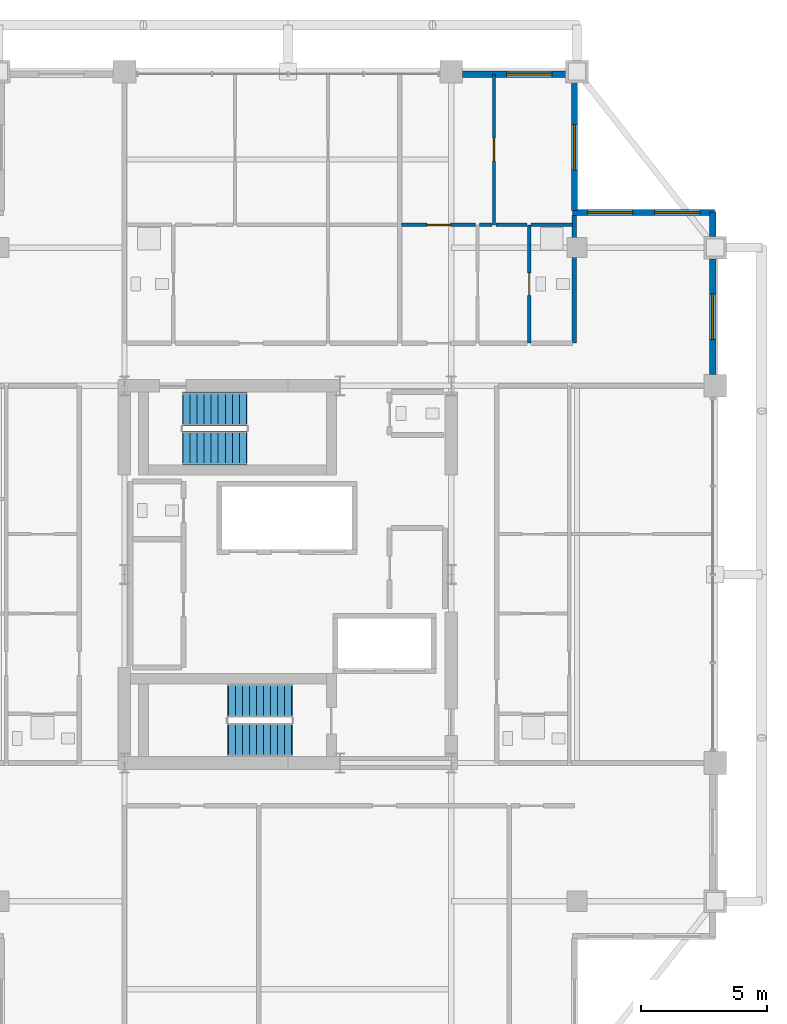
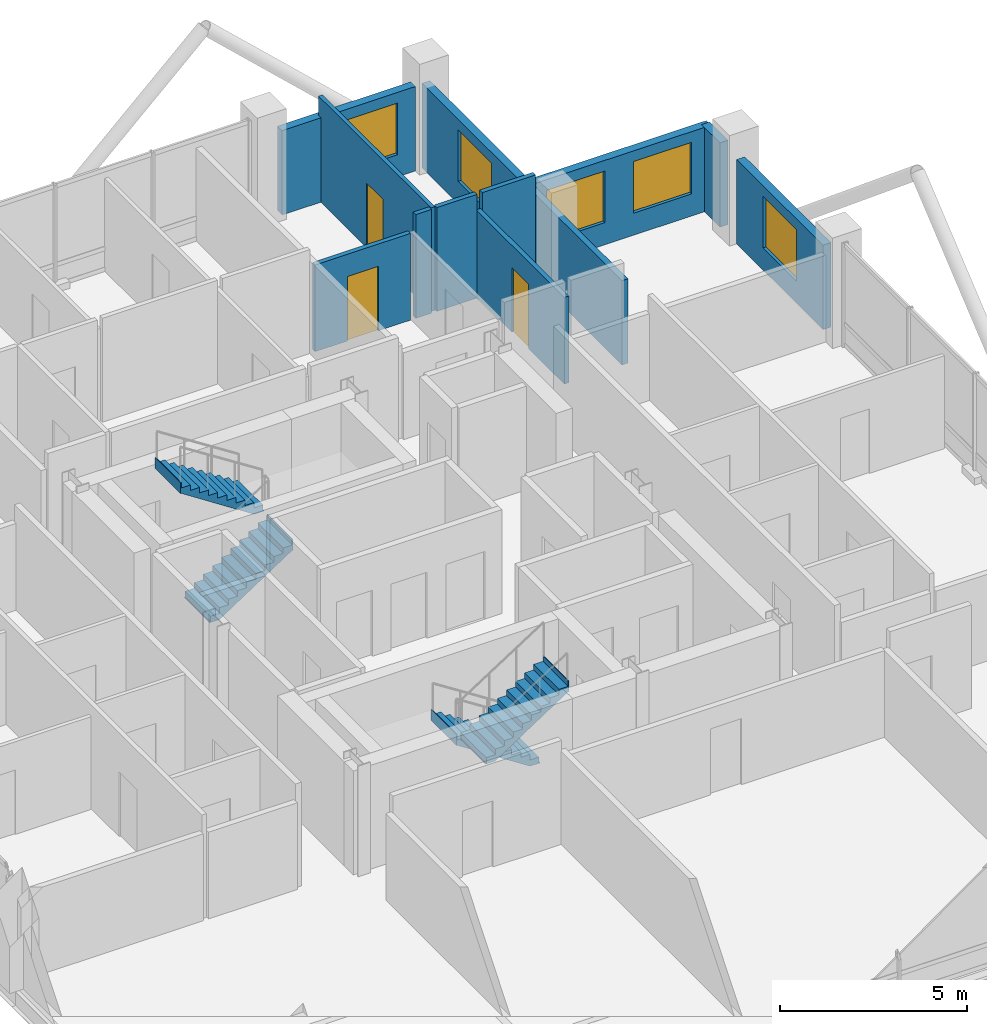
# One storey, part 22 of 24: 12 walls, 5 windows, 4 stair flights, 3 doors, 8 openings, 2 elements without a shape of their own.
"""IFC4 building model written with IfcOpenShell, lengths in metres."""

import ifcopenshell
import ifcopenshell.guid

model = None  # the IFC model being written
_history = None  # IfcOwnerHistory: only IFC2X3 demands one
_inside = {}  # id of a spatial element -> (the spatial element, [elements in it])
_under = {}  # id of a project, library or spatial element -> (it, [spatial elements below it])
_declared = {}  # id of a project -> (the project, [libraries it declares])
_typed = {}  # id of a type object -> (the type object, [elements of that type])
_made_of = {}  # id of a material, layer set ... -> (it, [elements and type objects made of it])


def new_model(schema):
    """Start an empty IFC model of exactly this schema.

    Asked for "IFC4X3", IfcOpenShell would pick the latest addendum, in which some entities
    have other attributes; the version numbers below select the first issue.
    IFC2X3 requires an IfcOwnerHistory on every rooted entity: one is made here for all.
    """
    global model, _history
    if schema == "IFC4X3":
        model = ifcopenshell.file(schema_version=(4, 3, 0, 0))
    else:
        model = ifcopenshell.file(schema=schema)
    _inside.clear()
    _under.clear()
    _declared.clear()
    _typed.clear()
    _made_of.clear()
    _history = None
    if model.schema == "IFC2X3":
        org = make("IfcOrganization", Name="unknown")
        user = make(
            "IfcPersonAndOrganization",
            ThePerson=make("IfcPerson", FamilyName="unknown"),
            TheOrganization=org,
        )
        app = make(
            "IfcApplication",
            ApplicationDeveloper=org,
            Version="unknown",
            ApplicationFullName="unknown",
            ApplicationIdentifier="unknown",
        )
        _history = make(
            "IfcOwnerHistory",
            OwningUser=user,
            OwningApplication=app,
            ChangeAction="ADDED",
            CreationDate=0,
        )
    return model


def make(cls, **values):
    """One entity of the class cls with the attributes given. An attribute that is None is left unset."""
    return model.create_entity(
        cls, **{name: value for name, value in values.items() if value is not None}
    )


def rooted(cls, **values):
    """An entity with a GlobalId (a new one), such as an element, a storey or a relation."""
    return make(cls, GlobalId=ifcopenshell.guid.new(), OwnerHistory=_history, **values)


def si_unit(unit_type, name, prefix=None):
    """IfcSIUnit, for example si_unit("LENGTHUNIT", "METRE", prefix="MILLI")."""
    return make("IfcSIUnit", UnitType=unit_type, Prefix=prefix, Name=name)


def assignment(units):
    """IfcUnitAssignment: the units of a project."""
    return None if units is None else make("IfcUnitAssignment", Units=units)


def point(xyz):
    """IfcCartesianPoint."""
    return None if xyz is None else make("IfcCartesianPoint", Coordinates=xyz)


def direction(xyz):
    """IfcDirection."""
    return None if xyz is None else make("IfcDirection", DirectionRatios=xyz)


def frame(location, z_axis=None, x_axis=None):
    """IfcAxis2Placement3D, a coordinate frame: its origin and axes. An axis left out is left unset."""
    return make(
        "IfcAxis2Placement3D",
        Location=point(location),
        Axis=direction(z_axis),
        RefDirection=direction(x_axis),
    )


def frame_2d(location, x_axis=None):
    """IfcAxis2Placement2D, a coordinate frame in the plane: its origin and x axis."""
    return make(
        "IfcAxis2Placement2D", Location=point(location), RefDirection=direction(x_axis)
    )


def origin():
    """The frame at (0, 0, 0) with its axes left unset."""
    return frame((0.0, 0.0, 0.0))


def place(relative_to, where):
    """IfcLocalPlacement: puts the frame where relative to a parent placement (None: the world)."""
    return make(
        "IfcLocalPlacement", PlacementRelTo=relative_to, RelativePlacement=where
    )


def context(
    kind, dimensions, precision=None, world=None, true_north=None, identifier=None
):
    """IfcGeometricRepresentationContext, for example the 3D "Model" context."""
    return make(
        "IfcGeometricRepresentationContext",
        ContextIdentifier=identifier,
        ContextType=kind,
        CoordinateSpaceDimension=dimensions,
        Precision=precision,
        WorldCoordinateSystem=world,
        TrueNorth=true_north,
    )


def subcontext(parent, identifier, kind, view, scale=None):
    """IfcGeometricRepresentationSubContext, for example "Body" below "Model"."""
    return make(
        "IfcGeometricRepresentationSubContext",
        ContextIdentifier=identifier,
        ContextType=kind,
        ParentContext=parent,
        TargetScale=scale,
        TargetView=view,
    )


def project(units=None, contexts=None):
    """IfcProject with its units and contexts."""
    return rooted(
        "IfcProject",
        Name="project",
        RepresentationContexts=contexts,
        UnitsInContext=assignment(units),
    )


def spatial(cls, under=None, at=None, **own):
    """A site, building, storey or space (cls), placed at a placement, below another one or the project."""
    s = rooted(cls, ObjectPlacement=at, **own)
    if under is not None:
        _under.setdefault(under.id(), (under, []))[1].append(s)
    return s


def polyline(points):
    """IfcPolyline through the points."""
    return make("IfcPolyline", Points=[point(p) for p in points])


def profile(cls, at=None, kind="AREA", **sizes):
    """A parametric profile (cls). Its sizes go by their IFC names, for example OverallWidth=200.0."""
    return make(cls, ProfileType=kind, Position=at, **sizes)


def rectangle(**sizes):
    """IfcRectangleProfileDef."""
    return profile("IfcRectangleProfileDef", **sizes)


def outline(outer, holes=None, kind="AREA"):
    """IfcArbitraryClosedProfileDef: a profile drawn as a closed curve; with holes, ...WithVoids."""
    if holes is None:
        return make("IfcArbitraryClosedProfileDef", ProfileType=kind, OuterCurve=outer)
    return make(
        "IfcArbitraryProfileDefWithVoids",
        ProfileType=kind,
        OuterCurve=outer,
        InnerCurves=holes,
    )


def extrude(swept, where, along, depth):
    """IfcExtrudedAreaSolid: the profile swept, set in the frame where, extruded along a direction by depth."""
    return make(
        "IfcExtrudedAreaSolid",
        SweptArea=swept,
        Position=where,
        ExtrudedDirection=direction(along),
        Depth=depth,
    )


def shape(context_of_items, identifier, shape_type, items):
    """IfcShapeRepresentation: the items that make up one representation, for example the "Body"."""
    return make(
        "IfcShapeRepresentation",
        ContextOfItems=context_of_items,
        RepresentationIdentifier=identifier,
        RepresentationType=shape_type,
        Items=items,
    )


def material(Name=None, Category=None):
    """IfcMaterial."""
    return make("IfcMaterial", Name=Name, Category=Category)


def layer(
    of_material, thickness, ventilated=None, Name=None, Category=None, Priority=None
):
    """IfcMaterialLayer: one layer of a wall or slab, of a material (None: an air gap)."""
    return make(
        "IfcMaterialLayer",
        Material=of_material,
        LayerThickness=thickness,
        IsVentilated=ventilated,
        Name=Name,
        Category=Category,
        Priority=Priority,
    )


def layer_set(layers, Name=None):
    """IfcMaterialLayerSet."""
    return make("IfcMaterialLayerSet", MaterialLayers=layers, LayerSetName=Name)


def made_of(thing, what):
    """Note that an element or type object is made of a material, layer set ...; save() writes the relation."""
    if what is not None:
        _made_of.setdefault(what.id(), (what, []))[1].append(thing)
    return thing


def type_object(cls, material=None, **own):
    """A type object (cls), such as IfcWallType, which elements share."""
    return made_of(rooted(cls, **own), material)


def element(
    cls,
    number,
    at=None,
    inside=None,
    cuts=None,
    type_object=None,
    material=None,
    context=None,
    identifier="Body",
    shape_type=None,
    held_by="IfcProductDefinitionShape",
    body=None,
    shapes=None,
    **own,
):
    """One element of the class cls, such as IfcWall. Its Tag is "e" and its number.

    at: its placement. inside: the storey or other place that contains it. cuts: it is an
    opening in that element (IfcRelVoidsElement). A single representation is given by context,
    identifier, shape_type and body (its items); several are given by shapes. held_by: the class
    of the entity that holds the representations. save() writes the other relations.
    """
    e = rooted(cls, Tag="e%d" % number, ObjectPlacement=at, **own)
    if body is not None:
        shapes = [shape(context, identifier, shape_type, body)]
    if shapes is not None:
        e.Representation = make(held_by, Representations=shapes)
    if inside is not None:
        _inside.setdefault(inside.id(), (inside, []))[1].append(e)
    if cuts is not None:
        rooted(
            "IfcRelVoidsElement", RelatingBuildingElement=cuts, RelatedOpeningElement=e
        )
    if type_object is not None:
        _typed.setdefault(type_object.id(), (type_object, []))[1].append(e)
    return made_of(e, material)


def fill(opening, filler):
    """IfcRelFillsElement: the door or window that sits in an opening."""
    return rooted(
        "IfcRelFillsElement",
        RelatingOpeningElement=opening,
        RelatedBuildingElement=filler,
    )


def aggregate(whole, parts):
    """IfcRelAggregates: a whole, such as a stair, and the parts it consists of."""
    return rooted("IfcRelAggregates", RelatingObject=whole, RelatedObjects=parts)


def save(model, path):
    """Write the relations noted so far, then the file.

    IfcRelAggregates (storeys below a building ...), IfcRelContainedInSpatialStructure (elements
    in a storey), IfcRelDefinesByType, IfcRelAssociatesMaterial and IfcRelDeclares: one each for
    every whole, place, type object, material and project.
    """
    for whole, parts in _under.values():
        aggregate(whole, parts)
    for where, things in _inside.values():
        rooted(
            "IfcRelContainedInSpatialStructure",
            RelatedElements=things,
            RelatingStructure=where,
        )
    for kind, things in _typed.values():
        rooted("IfcRelDefinesByType", RelatedObjects=things, RelatingType=kind)
    for what, things in _made_of.values():
        rooted("IfcRelAssociatesMaterial", RelatedObjects=things, RelatingMaterial=what)
    for by, libraries in _declared.values():
        rooted("IfcRelDeclares", RelatingContext=by, RelatedDefinitions=libraries)
    model.write(path)


model = new_model("IFC4")

# Units and contexts
model_context = context("Model", 3, precision=1e-05, world=origin(), true_north=direction((0.0, 1.0)))
body_context = subcontext(model_context, "Body", "Model", "MODEL_VIEW")
ifc_project = project(units=[si_unit("LENGTHUNIT", "METRE"), si_unit("AREAUNIT", "SQUARE_METRE"), si_unit("VOLUMEUNIT", "CUBIC_METRE"), si_unit("PLANEANGLEUNIT", "RADIAN"), si_unit("MASSUNIT", "GRAM", prefix="KILO")], contexts=[model_context])

# Site, building, storey
site_placement = place(None, origin())
site = spatial("IfcSite", under=ifc_project, at=site_placement, CompositionType="ELEMENT")
building_placement = place(site_placement, origin())
building = spatial("IfcBuilding", under=site, at=building_placement, Name="Barlavira Tower and Art Museum", CompositionType="ELEMENT")
storey_placement = place(building_placement, frame((0.0, 0.0, 251.10009765625)))
storey = spatial("IfcBuildingStorey", under=building, at=storey_placement, Name="L65", CompositionType="ELEMENT", Elevation=251.10009765625)

# Wall, opening, door
ifc_material_1 = material(Name="Gypsum acoustic stud partition", Category="gypsum")
ifc_layer_1 = layer(ifc_material_1, 0.1201171875, Name="Gypsum acoustic stud partition")
ifc_layer_set_1 = layer_set([ifc_layer_1], Name="Gypsum acoustic stud partition")
wall_type_1 = type_object("IfcWallType", Name="Apartment Internal Acoustic Partition 120", PredefinedType="PARTITIONING", material=ifc_layer_set_1)
wall_1_placement = place(storey_placement, frame((8.199951171875, 13.89990234375, 0.0), z_axis=(0.0, 0.0, 1.0), x_axis=(0.0, 1.0, 0.0)))
wall_1 = element("IfcWall", 1, at=wall_1_placement, inside=storey, type_object=wall_type_1, Name="L65 Partition Wall 16", PredefinedType="PARTITIONING", context=body_context, shape_type="SweptSolid", body=[
    extrude(rectangle(XDim=6.0, YDim=0.1201171875, at=frame_2d((3.0, 0.0))), origin(), (0.0, 0.0, 1.0), 3.3798828125),
])
opening_1_placement = place(wall_1_placement, frame((2.550048828125, 0.0, 0.0)))
opening_1 = element("IfcOpeningElement", 2, at=opening_1_placement, cuts=wall_1, Name="Opening D-01", PredefinedType="OPENING", context=body_context, shape_type="SweptSolid", body=[
    extrude(rectangle(XDim=0.89990234375, YDim=2.10009765625, at=frame_2d((0.449951171875, 1.050048828125))), frame((0.0, 0.070068359375, 0.0), z_axis=(0.0, -1.0, 0.0), x_axis=(1.0, 0.0, 0.0)), (0.0, 0.0, 1.0), 0.14013671875),
])
ifc_material_2 = material(Name="Engineered coastal hardwood", Category="wood")
door_type_1 = type_object("IfcDoorType", Name="Internal Bedroom Timber Flush Door 900x2100", OperationType="NOTDEFINED", PredefinedType="DOOR", material=ifc_material_2)
door_1_placement = place(opening_1_placement, origin())
door_1 = element("IfcDoor", 3, at=door_1_placement, inside=storey, type_object=door_type_1, Name="Apartment N2 Bedroom 1 Door", OperationType="SINGLE_SWING_RIGHT", OverallHeight=2.10009765625, OverallWidth=0.89990234375, PredefinedType="DOOR", context=body_context, shape_type="SweptSolid", body=[
    extrude(rectangle(XDim=0.89990234375, YDim=2.10009765625, at=frame_2d((0.449951171875, 1.050048828125))), frame((0.0, 0.02490234375, 0.0), z_axis=(0.0, -1.0, 0.0), x_axis=(1.0, 0.0, 0.0)), (0.0, 0.0, 1.0), 0.050048828125),
])
fill(opening_1, door_1)

# Wall
ifc_layer_2 = layer(ifc_material_1, 0.179931640625, Name="Gypsum acoustic stud partition")
ifc_layer_set_2 = layer_set([ifc_layer_2], Name="Gypsum acoustic stud partition")
wall_type_2 = type_object("IfcWallType", Name="Inter-Tenancy Party Partition Wall 180", PredefinedType="PARTITIONING", material=ifc_layer_set_2)
wall_2_placement = place(storey_placement, frame((11.39990234375, 9.199951171875, 0.0), z_axis=(0.0, 0.0, 1.0), x_axis=(0.0, 1.0, 0.0)))
element("IfcWall", 4, at=wall_2_placement, inside=storey, type_object=wall_type_2, Name="L65 Partition Wall 21", PredefinedType="PARTITIONING", context=body_context, shape_type="SweptSolid", body=[
    extrude(rectangle(XDim=5.070068359375, YDim=0.179931640625, at=frame_2d((2.53515625, 0.0))), origin(), (0.0, 0.0, 1.0), 2.747802734375),
])

# Wall, opening, door
ifc_layer_3 = layer(ifc_material_1, 0.139892578125, Name="Gypsum acoustic stud partition")
ifc_layer_set_3 = layer_set([ifc_layer_3], Name="Gypsum acoustic stud partition")
wall_type_3 = type_object("IfcWallType", Name="Moisture-Resistant Bathroom Partition 140", PredefinedType="PARTITIONING", material=ifc_layer_set_3)
wall_3_placement = place(storey_placement, frame((9.60009765625, 9.199951171875, 0.0), z_axis=(0.0, 0.0, 1.0), x_axis=(0.0, 1.0, 0.0)))
wall_3 = element("IfcWall", 5, at=wall_3_placement, inside=storey, type_object=wall_type_3, Name="L65 Partition Wall 19", PredefinedType="PARTITIONING", context=body_context, shape_type="SweptSolid", body=[
    extrude(rectangle(XDim=4.699951171875, YDim=0.139892578125, at=frame_2d((2.35009765625, 0.0))), origin(), (0.0, 0.0, 1.0), 2.825927734375),
])
opening_2_placement = place(wall_3_placement, frame((1.89990234375, 0.0, 0.0)))
opening_2 = element("IfcOpeningElement", 6, at=opening_2_placement, cuts=wall_3, Name="Opening D-WC", PredefinedType="OPENING", context=body_context, shape_type="SweptSolid", body=[
    extrude(rectangle(XDim=0.89990234375, YDim=2.10009765625, at=frame_2d((0.449951171875, 1.050048828125))), frame((0.0, 0.080078125, 0.0), z_axis=(0.0, -1.0, 0.0), x_axis=(1.0, 0.0, 0.0)), (0.0, 0.0, 1.0), 0.159912109375),
])
door_type_2 = type_object("IfcDoorType", Name="Accessible Bathroom Flush Door 900x2100", OperationType="NOTDEFINED", PredefinedType="DOOR", material=ifc_material_2)
door_2_placement = place(opening_2_placement, origin())
door_2 = element("IfcDoor", 7, at=door_2_placement, inside=storey, type_object=door_type_2, Name="Apartment N2 Hall Bathroom Door", OperationType="SINGLE_SWING_RIGHT", OverallHeight=2.10009765625, OverallWidth=0.89990234375, PredefinedType="DOOR", context=body_context, shape_type="SweptSolid", body=[
    extrude(rectangle(XDim=0.89990234375, YDim=2.10009765625, at=frame_2d((0.449951171875, 1.050048828125))), frame((0.0, 0.02490234375, 0.0), z_axis=(0.0, -1.0, 0.0), x_axis=(1.0, 0.0, 0.0)), (0.0, 0.0, 1.0), 0.050048828125),
])
fill(opening_2, door_2)

wall_4_placement = place(storey_placement, frame((4.530029296875, 13.89990234375, 0.0), z_axis=(0.0, 0.0, 1.0), x_axis=(1.0, 0.0, 0.0)))
wall_4 = element("IfcWall", 8, at=wall_4_placement, inside=storey, type_object=wall_type_3, Name="L65 Partition Wall 58", PredefinedType="PARTITIONING", context=body_context, shape_type="SweptSolid", body=[
    extrude(rectangle(XDim=2.93994140625, YDim=0.139892578125, at=frame_2d((1.469970703125, 0.0))), origin(), (0.0, 0.0, 1.0), 2.825927734375),
])
opening_3_placement = place(wall_4_placement, frame((0.9951171875, 0.0, 0.0)))
opening_3 = element("IfcOpeningElement", 9, at=opening_3_placement, cuts=wall_4, Name="Opening D-02", PredefinedType="OPENING", context=body_context, shape_type="SweptSolid", body=[
    extrude(rectangle(XDim=0.949951171875, YDim=2.10009765625, at=frame_2d((0.47509765625, 1.050048828125))), frame((0.0, 0.080078125, 0.0), z_axis=(0.0, -1.0, 0.0), x_axis=(1.0, 0.0, 0.0)), (0.0, 0.0, 1.0), 0.159912109375),
])
door_type_3 = type_object("IfcDoorType", Name="Living and Salon Glazed-Leaf Door 950x2100", OperationType="NOTDEFINED", PredefinedType="DOOR", material=ifc_material_2)
door_3_placement = place(opening_3_placement, origin())
door_3 = element("IfcDoor", 10, at=door_3_placement, inside=storey, type_object=door_type_3, Name="Apartment N2 Living Lounge Door", OperationType="SINGLE_SWING_LEFT", OverallHeight=2.10009765625, OverallWidth=0.949951171875, PredefinedType="DOOR", context=body_context, shape_type="SweptSolid", body=[
    extrude(rectangle(XDim=0.949951171875, YDim=2.10009765625, at=frame_2d((0.47509765625, 1.050048828125))), frame((0.0, 0.02490234375, 0.0), z_axis=(0.0, -1.0, 0.0), x_axis=(1.0, 0.0, 0.0)), (0.0, 0.0, 1.0), 0.050048828125),
])
fill(opening_3, door_3)

# Walls
wall_5_placement = place(storey_placement, frame((7.6298828125, 13.89990234375, 0.0), z_axis=(0.0, 0.0, 1.0), x_axis=(1.0, 0.0, 0.0)))
element("IfcWall", 11, at=wall_5_placement, inside=storey, type_object=wall_type_3, Name="L65 Partition Wall 59", PredefinedType="PARTITIONING", context=body_context, shape_type="SweptSolid", body=[
    extrude(rectangle(XDim=0.490234375, YDim=0.139892578125, at=frame_2d((0.2451171875, 0.0))), origin(), (0.0, 0.0, 1.0), 3.3798828125),
])
wall_6_placement = place(storey_placement, frame((8.280029296875, 13.89990234375, 0.0), z_axis=(0.0, 0.0, 1.0), x_axis=(1.0, 0.0, 0.0)))
element("IfcWall", 12, at=wall_6_placement, inside=storey, type_object=wall_type_3, Name="L65 Partition Wall 60", PredefinedType="PARTITIONING", context=body_context, shape_type="SweptSolid", body=[
    extrude(rectangle(XDim=1.239990234375, YDim=0.139892578125, at=frame_2d((0.6201171875, 0.0))), origin(), (0.0, 0.0, 1.0), 3.3798828125),
])
wall_7_placement = place(storey_placement, frame((9.679931640625, 13.89990234375, 0.0), z_axis=(0.0, 0.0, 1.0), x_axis=(1.0, 0.0, 0.0)))
element("IfcWall", 13, at=wall_7_placement, inside=storey, type_object=wall_type_3, Name="L65 Partition Wall 61", PredefinedType="PARTITIONING", context=body_context, shape_type="SweptSolid", body=[
    extrude(rectangle(XDim=1.64013671875, YDim=0.139892578125, at=frame_2d((0.820068359375, 0.0))), origin(), (0.0, 0.0, 1.0), 3.3798828125),
])

# Wall, opening, window
ifc_material_3 = material(Name="Precast concrete C40", Category="concrete")
ifc_layer_4 = layer(ifc_material_3, 0.25, Name="Precast concrete C40")
ifc_layer_set_4 = layer_set([ifc_layer_4], Name="Precast concrete C40")
wall_type_4 = type_object("IfcWallType", Name="Notched Corner Spandrel Wall 250 Precast Concrete C40", PredefinedType="SOLIDWALL", material=ifc_layer_set_4)
wall_8_placement = place(storey_placement, frame((11.054931640625, 19.89990234375, 0.0), z_axis=(0.0, 0.0, 1.0), x_axis=(-1.0, 0.0, 0.0)))
wall_8 = element("IfcWall", 14, at=wall_8_placement, inside=storey, type_object=wall_type_4, Name="L65 Coastal Facade Pier Wall CW4-L65-N-1", PredefinedType="SOLIDWALL", context=body_context, shape_type="SweptSolid", body=[
    extrude(rectangle(XDim=4.10986328125, YDim=0.25, at=frame_2d((2.054931640625, 0.0))), origin(), (0.0, 0.0, 1.0), 2.747802734375),
])
opening_4_placement = place(wall_8_placement, frame((0.554931640625, 0.0, 0.719970703125)))
opening_4 = element("IfcOpeningElement", 15, at=opening_4_placement, cuts=wall_8, Name="Opening WN-01", PredefinedType="OPENING", context=body_context, shape_type="SweptSolid", body=[
    extrude(rectangle(XDim=1.800048828125, YDim=1.679931640625, at=frame_2d((0.89990234375, 0.83984375))), frame((0.0, 0.135009765625, 0.0), z_axis=(0.0, -1.0, 0.0), x_axis=(1.0, 0.0, 0.0)), (0.0, 0.0, 1.0), 0.27001953125),
])
ifc_material_4 = material(Name="Low-iron coastal laminated glass", Category="glass")
window_type = type_object("IfcWindowType", Name="Recessed Notch Corner Punch Window 1800x1680", PartitioningType="SINGLE_PANEL", PredefinedType="WINDOW", material=ifc_material_4)
window_1_placement = place(opening_4_placement, origin())
window_1 = element("IfcWindow", 16, at=window_1_placement, inside=storey, type_object=window_type, Name="L65 Punched Facade Window EWP-CW4-L65-N-1-1", OverallHeight=1.679931640625, OverallWidth=1.800048828125, PartitioningType="SINGLE_PANEL", PredefinedType="WINDOW", context=body_context, shape_type="SweptSolid", body=[
    extrude(rectangle(XDim=1.800048828125, YDim=1.679931640625, at=frame_2d((0.89990234375, 0.83984375))), frame((0.0, 0.030029296875, 0.0), z_axis=(0.0, -1.0, 0.0), x_axis=(1.0, 0.0, 0.0)), (0.0, 0.0, 1.0), 0.06005859375),
])
fill(opening_4, window_1)

wall_9_placement = place(storey_placement, frame((16.89990234375, 7.945068359375, 0.0), z_axis=(0.0, 0.0, 1.0), x_axis=(0.0, 1.0, 0.0)))
wall_9 = element("IfcWall", 17, at=wall_9_placement, inside=storey, type_object=wall_type_4, Name="L65 Coastal Facade Pier Wall CW4-L65-E-4", PredefinedType="SOLIDWALL", context=body_context, shape_type="SweptSolid", body=[
    extrude(rectangle(XDim=4.60986328125, YDim=0.25, at=frame_2d((2.304931640625, 0.0))), origin(), (0.0, 0.0, 1.0), 2.747802734375),
])
opening_5_placement = place(wall_9_placement, frame((1.405029296875, 0.0, 0.719970703125)))
opening_5 = element("IfcOpeningElement", 18, at=opening_5_placement, cuts=wall_9, Name="Opening WN-01", PredefinedType="OPENING", context=body_context, shape_type="SweptSolid", body=[
    extrude(rectangle(XDim=1.800048828125, YDim=1.679931640625, at=frame_2d((0.89990234375, 0.83984375))), frame((0.0, 0.135009765625, 0.0), z_axis=(0.0, -1.0, 0.0), x_axis=(1.0, 0.0, 0.0)), (0.0, 0.0, 1.0), 0.27001953125),
])
window_2_placement = place(opening_5_placement, origin())
window_2 = element("IfcWindow", 19, at=window_2_placement, inside=storey, type_object=window_type, Name="L65 Punched Facade Window EWP-CW4-L65-E-4-1", OverallHeight=1.679931640625, OverallWidth=1.800048828125, PartitioningType="SINGLE_PANEL", PredefinedType="WINDOW", context=body_context, shape_type="SweptSolid", body=[
    extrude(rectangle(XDim=1.800048828125, YDim=1.679931640625, at=frame_2d((0.89990234375, 0.83984375))), frame((0.0, 0.030029296875, 0.0), z_axis=(0.0, -1.0, 0.0), x_axis=(1.0, 0.0, 0.0)), (0.0, 0.0, 1.0), 0.06005859375),
])
fill(opening_5, window_2)

# Wall
wall_10_placement = place(storey_placement, frame((16.89990234375, 13.445068359375, 0.0), z_axis=(0.0, 0.0, 1.0), x_axis=(0.0, 1.0, 0.0)))
element("IfcWall", 20, at=wall_10_placement, inside=storey, type_object=wall_type_4, Name="L65 Coastal Facade Pier Wall CW4-L65-E-5", PredefinedType="SOLIDWALL", context=body_context, shape_type="SweptSolid", body=[
    extrude(rectangle(XDim=0.97998046875, YDim=0.25, at=frame_2d((0.489990234375, 0.0))), origin(), (0.0, 0.0, 1.0), 2.747802734375),
])

# Wall, openings, windows
wall_11_placement = place(storey_placement, frame((16.97998046875, 14.39990234375, 0.0), z_axis=(0.0, 0.0, 1.0), x_axis=(-1.0, 0.0, 0.0)))
wall_11 = element("IfcWall", 21, at=wall_11_placement, inside=storey, type_object=wall_type_4, Name="L65 Notch Corner Wall NE1", PredefinedType="SOLIDWALL", context=body_context, shape_type="SweptSolid", body=[
    extrude(rectangle(XDim=5.659912109375, YDim=0.25, at=frame_2d((2.830078125, 0.0))), origin(), (0.0, 0.0, 1.0), 2.747802734375),
])
opening_6_placement = place(wall_11_placement, frame((0.594970703125, 0.0, 0.719970703125)))
opening_6 = element("IfcOpeningElement", 22, at=opening_6_placement, cuts=wall_11, Name="Opening WN-01", PredefinedType="OPENING", context=body_context, shape_type="SweptSolid", body=[
    extrude(rectangle(XDim=1.800048828125, YDim=1.679931640625, at=frame_2d((0.89990234375, 0.83984375))), frame((0.0, 0.135009765625, 0.0), z_axis=(0.0, -1.0, 0.0), x_axis=(1.0, 0.0, 0.0)), (0.0, 0.0, 1.0), 0.27001953125),
])
opening_7_placement = place(wall_11_placement, frame((3.264892578125, 0.0, 0.719970703125)))
opening_7 = element("IfcOpeningElement", 23, at=opening_7_placement, cuts=wall_11, Name="Opening WN-01", PredefinedType="OPENING", context=body_context, shape_type="SweptSolid", body=[
    extrude(rectangle(XDim=1.800048828125, YDim=1.679931640625, at=frame_2d((0.89990234375, 0.83984375))), frame((0.0, 0.135009765625, 0.0), z_axis=(0.0, -1.0, 0.0), x_axis=(1.0, 0.0, 0.0)), (0.0, 0.0, 1.0), 0.27001953125),
])
window_3_placement = place(opening_6_placement, origin())
window_3 = element("IfcWindow", 24, at=window_3_placement, inside=storey, type_object=window_type, Name="L65 Punched Facade Window EW-NTC-L65-NE1-1", OverallHeight=1.679931640625, OverallWidth=1.800048828125, PartitioningType="SINGLE_PANEL", PredefinedType="WINDOW", context=body_context, shape_type="SweptSolid", body=[
    extrude(rectangle(XDim=1.800048828125, YDim=1.679931640625, at=frame_2d((0.89990234375, 0.83984375))), frame((0.0, 0.030029296875, 0.0), z_axis=(0.0, -1.0, 0.0), x_axis=(1.0, 0.0, 0.0)), (0.0, 0.0, 1.0), 0.06005859375),
])
fill(opening_6, window_3)
window_4_placement = place(opening_7_placement, origin())
window_4 = element("IfcWindow", 25, at=window_4_placement, inside=storey, type_object=window_type, Name="L65 Punched Facade Window EW-NTC-L65-NE1-2", OverallHeight=1.679931640625, OverallWidth=1.800048828125, PartitioningType="SINGLE_PANEL", PredefinedType="WINDOW", context=body_context, shape_type="SweptSolid", body=[
    extrude(rectangle(XDim=1.800048828125, YDim=1.679931640625, at=frame_2d((0.89990234375, 0.83984375))), frame((0.0, 0.030029296875, 0.0), z_axis=(0.0, -1.0, 0.0), x_axis=(1.0, 0.0, 0.0)), (0.0, 0.0, 1.0), 0.06005859375),
])
fill(opening_7, window_4)

# Wall, opening, window
wall_12_placement = place(storey_placement, frame((11.39990234375, 14.47998046875, 0.0), z_axis=(0.0, 0.0, 1.0), x_axis=(0.0, 1.0, 0.0)))
wall_12 = element("IfcWall", 26, at=wall_12_placement, inside=storey, type_object=wall_type_4, Name="L65 Notch Corner Wall NE2", PredefinedType="SOLIDWALL", context=body_context, shape_type="SweptSolid", body=[
    extrude(rectangle(XDim=5.340087890625, YDim=0.25, at=frame_2d((2.669921875, 0.0))), origin(), (0.0, 0.0, 1.0), 2.747802734375),
])
opening_8_placement = place(wall_12_placement, frame((1.614990234375, 0.0, 0.719970703125)))
opening_8 = element("IfcOpeningElement", 27, at=opening_8_placement, cuts=wall_12, Name="Opening WN-01", PredefinedType="OPENING", context=body_context, shape_type="SweptSolid", body=[
    extrude(rectangle(XDim=1.800048828125, YDim=1.679931640625, at=frame_2d((0.89990234375, 0.83984375))), frame((0.0, 0.135009765625, 0.0), z_axis=(0.0, -1.0, 0.0), x_axis=(1.0, 0.0, 0.0)), (0.0, 0.0, 1.0), 0.27001953125),
])
window_5_placement = place(opening_8_placement, origin())
window_5 = element("IfcWindow", 28, at=window_5_placement, inside=storey, type_object=window_type, Name="L65 Punched Facade Window EW-NTC-L65-NE2-1", OverallHeight=1.679931640625, OverallWidth=1.800048828125, PartitioningType="SINGLE_PANEL", PredefinedType="WINDOW", context=body_context, shape_type="SweptSolid", body=[
    extrude(rectangle(XDim=1.800048828125, YDim=1.679931640625, at=frame_2d((0.89990234375, 0.83984375))), frame((0.0, 0.030029296875, 0.0), z_axis=(0.0, -1.0, 0.0), x_axis=(1.0, 0.0, 0.0)), (0.0, 0.0, 1.0), 0.06005859375),
])
fill(opening_8, window_5)

# Stair, stair flights
ifc_material_5 = material(Name="Concrete C45", Category="concrete")
stair_type_1 = type_object("IfcStairType", Name="Tower North Dog-Leg Exit Stair Assembly Concrete C45", PredefinedType="TWO_QUARTER_TURN_STAIR", material=ifc_material_5)
stair_1_placement = place(storey_placement, origin())
stair_1 = element("IfcStair", 29, at=stair_1_placement, inside=storey, type_object=stair_type_1, Name="L65 Tower North Exit Stair ST-T2", PredefinedType="TWO_QUARTER_TURN_STAIR")
ifc_material_6 = material(Name="Precast concrete C45", Category="concrete")
stair_flight_type_1 = type_object("IfcStairFlightType", Name="Tower North Dog-Leg Exit Stair Precast Flight 1350 Concrete C45", PredefinedType="STRAIGHT", material=ifc_material_6)
stair_flight_1_placement = place(storey_placement, frame((-4.169921875, 5.02490234375, 0.0), z_axis=(0.0, 0.0, 1.0), x_axis=(1.0, 0.0, 0.0)))
stair_flight_1 = element("IfcStairFlight", 30, at=stair_flight_1_placement, type_object=stair_flight_type_1, Name="ST-T2 flight 1", NumberOfRisers=10, NumberOfTreads=9, PredefinedType="STRAIGHT", RiserHeight=0.18, TreadLength=0.28, context=body_context, shape_type="SweptSolid", body=[
    extrude(outline(polyline([(-0.02490234375, 0.0), (0.0, 0.0), (0.0, 0.179931640625), (0.280029296875, 0.179931640625), (0.280029296875, 0.360107421875), (0.56005859375, 0.360107421875), (0.56005859375, 0.5400390625), (0.840087890625, 0.5400390625), (0.840087890625, 0.719970703125), (1.1201171875, 0.719970703125), (1.1201171875, 0.89990234375), (1.39990234375, 0.89990234375), (1.39990234375, 1.080078125), (1.679931640625, 1.080078125), (1.679931640625, 1.260009765625), (1.9599609375, 1.260009765625), (1.9599609375, 1.43994140625), (2.239990234375, 1.43994140625), (2.239990234375, 1.6201171875), (2.52001953125, 1.6201171875), (2.52001953125, 1.800048828125), (2.544921875, 1.800048828125), (2.544921875, 1.44189453125), (2.52001953125, 1.44189453125), (0.277099609375, -0.02490234375), (-0.02490234375, -0.02490234375), (-0.02490234375, 0.0)])), frame((0.0, 0.675048828125, 0.0), z_axis=(0.0, -1.0, 0.0), x_axis=(1.0, 0.0, 0.0)), (0.0, 0.0, 1.0), 1.35009765625),
])
stair_flight_2_placement = place(storey_placement, frame((-1.64990234375, 6.574951171875, 1.7998046875), z_axis=(0.0, 0.0, 1.0), x_axis=(-1.0, 0.0, 0.0)))
stair_flight_2 = element("IfcStairFlight", 31, at=stair_flight_2_placement, type_object=stair_flight_type_1, Name="ST-T2 flight 2", NumberOfRisers=10, NumberOfTreads=9, PredefinedType="STRAIGHT", RiserHeight=0.18, TreadLength=0.28, context=body_context, shape_type="SweptSolid", body=[
    extrude(outline(polyline([(-0.02490234375, 0.0), (0.0, 0.0), (0.0, 0.179931640625), (0.280029296875, 0.179931640625), (0.280029296875, 0.360107421875), (0.56005859375, 0.360107421875), (0.56005859375, 0.5400390625), (0.840087890625, 0.5400390625), (0.840087890625, 0.719970703125), (1.1201171875, 0.719970703125), (1.1201171875, 0.89990234375), (1.39990234375, 0.89990234375), (1.39990234375, 1.080078125), (1.679931640625, 1.080078125), (1.679931640625, 1.260009765625), (1.9599609375, 1.260009765625), (1.9599609375, 1.43994140625), (2.239990234375, 1.43994140625), (2.239990234375, 1.6201171875), (2.52001953125, 1.6201171875), (2.52001953125, 1.800048828125), (2.544921875, 1.800048828125), (2.544921875, 1.44189453125), (2.52001953125, 1.44189453125), (0.277099609375, -0.02490234375), (-0.02490234375, -0.02490234375), (-0.02490234375, 0.0)])), frame((0.0, 0.675048828125, 0.0), z_axis=(0.0, -1.0, 0.0), x_axis=(1.0, 0.0, 0.0)), (0.0, 0.0, 1.0), 1.35009765625),
])
aggregate(stair_1, [stair_flight_1, stair_flight_2])

stair_type_2 = type_object("IfcStairType", Name="Tower South Dog-Leg Exit Stair Assembly Concrete C45", PredefinedType="TWO_QUARTER_TURN_STAIR", material=ifc_material_5)
stair_2_placement = place(storey_placement, origin())
stair_2 = element("IfcStair", 32, at=stair_2_placement, inside=storey, type_object=stair_type_2, Name="L65 Tower South Exit Stair ST-T1", PredefinedType="TWO_QUARTER_TURN_STAIR")
stair_flight_type_2 = type_object("IfcStairFlightType", Name="Tower South Dog-Leg Exit Stair Precast Flight 1350 Concrete C45", PredefinedType="STRAIGHT", material=ifc_material_6)
stair_flight_3_placement = place(storey_placement, frame((0.14990234375, -5.02490234375, 0.0), z_axis=(0.0, 0.0, 1.0), x_axis=(-1.0, 0.0, 0.0)))
stair_flight_3 = element("IfcStairFlight", 33, at=stair_flight_3_placement, type_object=stair_flight_type_2, Name="ST-T1 flight 1", NumberOfRisers=10, NumberOfTreads=9, PredefinedType="STRAIGHT", RiserHeight=0.18, TreadLength=0.28, context=body_context, shape_type="SweptSolid", body=[
    extrude(outline(polyline([(-0.02490234375, 0.0), (0.0, 0.0), (0.0, 0.179931640625), (0.280029296875, 0.179931640625), (0.280029296875, 0.360107421875), (0.56005859375, 0.360107421875), (0.56005859375, 0.5400390625), (0.840087890625, 0.5400390625), (0.840087890625, 0.719970703125), (1.1201171875, 0.719970703125), (1.1201171875, 0.89990234375), (1.39990234375, 0.89990234375), (1.39990234375, 1.080078125), (1.679931640625, 1.080078125), (1.679931640625, 1.260009765625), (1.9599609375, 1.260009765625), (1.9599609375, 1.43994140625), (2.239990234375, 1.43994140625), (2.239990234375, 1.6201171875), (2.52001953125, 1.6201171875), (2.52001953125, 1.800048828125), (2.544921875, 1.800048828125), (2.544921875, 1.44189453125), (2.52001953125, 1.44189453125), (0.277099609375, -0.02490234375), (-0.02490234375, -0.02490234375), (-0.02490234375, 0.0)])), frame((0.0, 0.675048828125, 0.0), z_axis=(0.0, -1.0, 0.0), x_axis=(1.0, 0.0, 0.0)), (0.0, 0.0, 1.0), 1.35009765625),
])
stair_flight_4_placement = place(storey_placement, frame((-2.3701171875, -6.574951171875, 1.7998046875), z_axis=(0.0, 0.0, 1.0), x_axis=(1.0, 0.0, 0.0)))
stair_flight_4 = element("IfcStairFlight", 34, at=stair_flight_4_placement, type_object=stair_flight_type_2, Name="ST-T1 flight 2", NumberOfRisers=10, NumberOfTreads=9, PredefinedType="STRAIGHT", RiserHeight=0.18, TreadLength=0.28, context=body_context, shape_type="SweptSolid", body=[
    extrude(outline(polyline([(-0.02490234375, 0.0), (0.0, 0.0), (0.0, 0.179931640625), (0.280029296875, 0.179931640625), (0.280029296875, 0.360107421875), (0.56005859375, 0.360107421875), (0.56005859375, 0.5400390625), (0.840087890625, 0.5400390625), (0.840087890625, 0.719970703125), (1.1201171875, 0.719970703125), (1.1201171875, 0.89990234375), (1.39990234375, 0.89990234375), (1.39990234375, 1.080078125), (1.679931640625, 1.080078125), (1.679931640625, 1.260009765625), (1.9599609375, 1.260009765625), (1.9599609375, 1.43994140625), (2.239990234375, 1.43994140625), (2.239990234375, 1.6201171875), (2.52001953125, 1.6201171875), (2.52001953125, 1.800048828125), (2.544921875, 1.800048828125), (2.544921875, 1.44189453125), (2.52001953125, 1.44189453125), (0.277099609375, -0.02490234375), (-0.02490234375, -0.02490234375), (-0.02490234375, 0.0)])), frame((0.0, 0.675048828125, 0.0), z_axis=(0.0, -1.0, 0.0), x_axis=(1.0, 0.0, 0.0)), (0.0, 0.0, 1.0), 1.35009765625),
])
aggregate(stair_2, [stair_flight_3, stair_flight_4])

save(model, "model.ifc")
